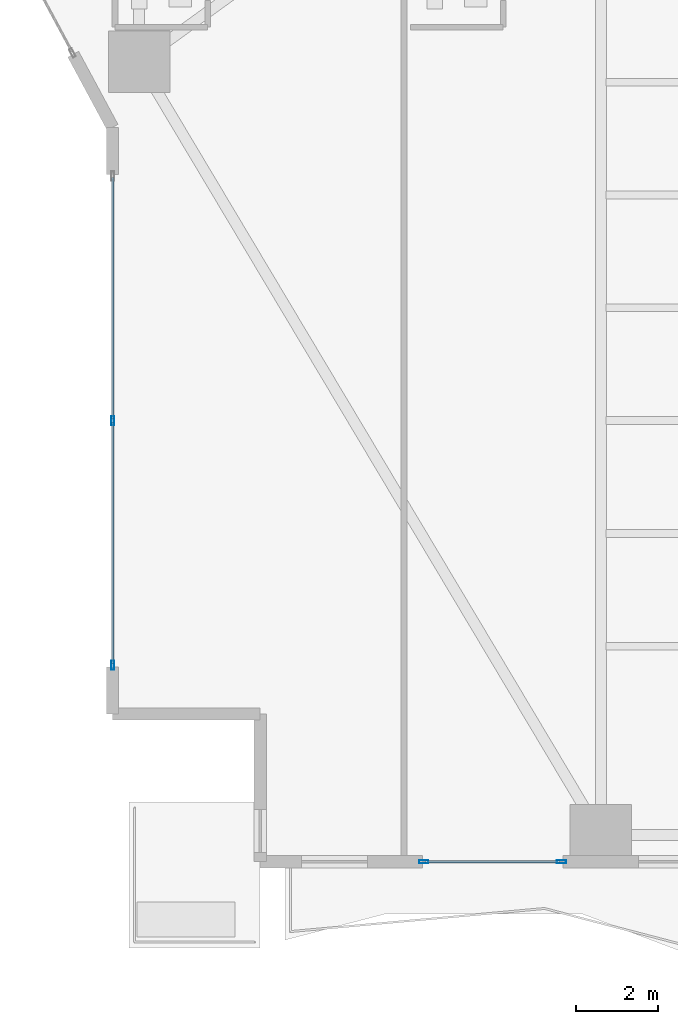
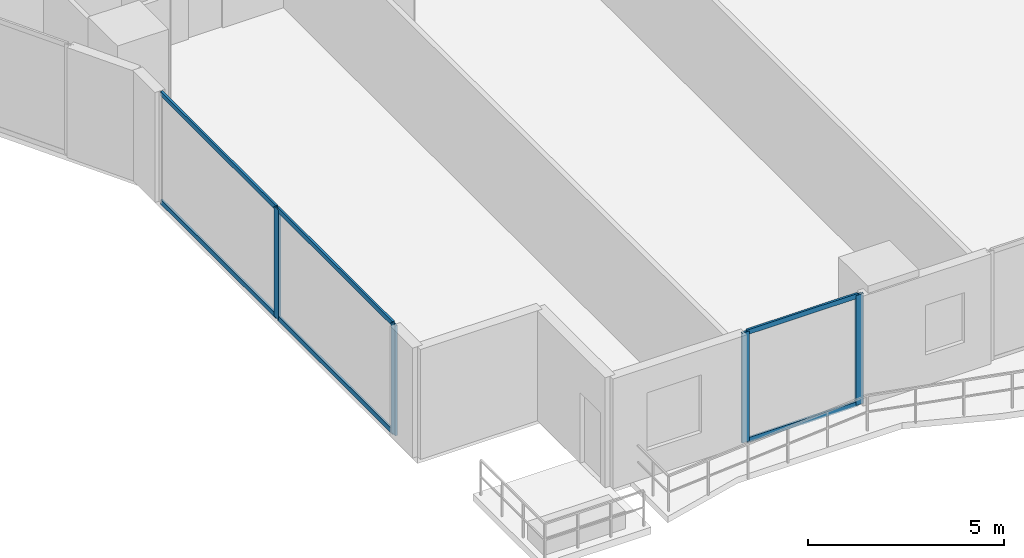
# One storey, part 2 of 28: 10 members, 2 elements without a shape of their own.
"""IFC4 building model written with IfcOpenShell, lengths in metres."""

from ifc_helpers import new_model, si_unit, direction, frame, origin, origin_2d, place, context, subcontext, project, spatial, hollow_rectangle, extrude, material, layer, layer_set, material_profile, profile_set, type_object, element, aggregate, save


model = new_model("IFC4")

# Units and contexts
model_context = context("Model", 3, precision=1e-05, world=origin(), true_north=direction((0.0, 1.0)))
body_context = subcontext(model_context, "Body", "Model", "MODEL_VIEW")
ifc_project = project(units=[si_unit("LENGTHUNIT", "METRE"), si_unit("AREAUNIT", "SQUARE_METRE"), si_unit("VOLUMEUNIT", "CUBIC_METRE"), si_unit("PLANEANGLEUNIT", "RADIAN"), si_unit("MASSUNIT", "GRAM", prefix="KILO")], contexts=[model_context])

# Site, building, storey
site_placement = place(None, origin())
site = spatial("IfcSite", under=ifc_project, at=site_placement, CompositionType="ELEMENT")
building_placement = place(site_placement, origin())
building = spatial("IfcBuilding", under=site, at=building_placement, Name="Zuhayl Quay Hotel", CompositionType="ELEMENT")
storey_placement = place(building_placement, frame((0.0, 0.0, 78.699951171875)))
storey = spatial("IfcBuildingStorey", under=building, at=storey_placement, Name="L19", CompositionType="ELEMENT", Elevation=78.699951171875)

# Curtain wall, members
ifc_material_1 = material(Name="Anodised Aluminium 6063-T6", Category="aluminium")
ifc_layer = layer(ifc_material_1, 0.18994140625, Name="Anodised Aluminium 6063-T6", Category="aluminium")
ifc_layer_set = layer_set([ifc_layer], Name="Anodised Aluminium 6063-T6")
curtain_wall_type = type_object("IfcCurtainWallType", Name="CW_SYS_Z1", PredefinedType="USERDEFINED", material=ifc_layer_set)
curtain_wall_1_placement = place(storey_placement, origin())
curtain_wall_1 = element("IfcCurtainWall", 1, at=curtain_wall_1_placement, inside=storey, type_object=curtain_wall_type, Name="L19 Curtain Wall ENV_L19_E02_CW1", ObjectType="UNITISED CURTAIN WALL", PredefinedType="USERDEFINED")
ifc_material_2 = material(Name="Black-anodised aluminium 6063-T6", Category="aluminium")
ifc_material_profile_1 = material_profile(ifc_material_2, hollow_rectangle(XDim=0.074951171875, YDim=0.219970703125, WallThickness=0.00390625, at=origin_2d()), Name="ALU220X75")
ifc_profile_set_1 = profile_set([ifc_material_profile_1], Name="Black-anodised aluminium 6063-T6")
member_type_1 = type_object("IfcMemberType", Name="MB_CW_MUL_220", PredefinedType="MULLION", material=ifc_profile_set_1)
member_1_placement = place(storey_placement, frame((-25.699951171875, -18.3125, 0.0), z_axis=(0.0, 0.0, 1.0), x_axis=(-1.0, 0.0, 0.0)))
member_1 = element("IfcMember", 2, at=member_1_placement, type_object=member_type_1, Name="CW-Z1 mullion 1", PredefinedType="MULLION", context=body_context, shape_type="SweptSolid", body=[
    extrude(hollow_rectangle(XDim=0.074951171875, YDim=0.219970703125, WallThickness=0.00390625, at=origin_2d()), origin(), (0.0, 0.0, 1.0), 3.429931640625),
])
member_2_placement = place(storey_placement, frame((-25.699951171875, -12.35009765625, 0.0), z_axis=(0.0, 0.0, 1.0), x_axis=(-1.0, 0.0, 0.0)))
member_2 = element("IfcMember", 3, at=member_2_placement, type_object=member_type_1, Name="CW-Z1 mullion 2", PredefinedType="MULLION", context=body_context, shape_type="SweptSolid", body=[
    extrude(hollow_rectangle(XDim=0.074951171875, YDim=0.219970703125, WallThickness=0.00390625, at=origin_2d()), origin(), (0.0, 0.0, 1.0), 3.429931640625),
])

curtain_wall_2_placement = place(storey_placement, origin())
curtain_wall_2 = element("IfcCurtainWall", 4, at=curtain_wall_2_placement, inside=storey, type_object=curtain_wall_type, Name="L19 Curtain Wall ENV_L19_S_CW6", ObjectType="UNITISED CURTAIN WALL", PredefinedType="USERDEFINED")
member_3_placement = place(storey_placement, frame((-14.757568359375, -23.10009765625, 0.0), z_axis=(0.0, 0.0, 1.0), x_axis=(0.0, -1.0, 0.0)))
member_3 = element("IfcMember", 5, at=member_3_placement, type_object=member_type_1, Name="CW-Z1 mullion 1", PredefinedType="MULLION", context=body_context, shape_type="SweptSolid", body=[
    extrude(hollow_rectangle(XDim=0.074951171875, YDim=0.219970703125, WallThickness=0.00390625, at=origin_2d()), origin(), (0.0, 0.0, 1.0), 3.429931640625),
])
member_4_placement = place(storey_placement, frame((-18.112548828125, -23.10009765625, 0.0), z_axis=(0.0, 0.0, 1.0), x_axis=(0.0, -1.0, 0.0)))
member_4 = element("IfcMember", 6, at=member_4_placement, type_object=member_type_1, Name="CW-Z1 mullion 2", PredefinedType="MULLION", context=body_context, shape_type="SweptSolid", body=[
    extrude(hollow_rectangle(XDim=0.074951171875, YDim=0.219970703125, WallThickness=0.00390625, at=origin_2d()), origin(), (0.0, 0.0, 1.0), 3.429931640625),
])

# Member
ifc_material_profile_2 = material_profile(ifc_material_2, hollow_rectangle(XDim=0.06005859375, YDim=0.14990234375, WallThickness=0.00341796875, at=origin_2d()), Name="ALU150X60")
ifc_profile_set_2 = profile_set([ifc_material_profile_2], Name="Black-anodised aluminium 6063-T6")
member_type_2 = type_object("IfcMemberType", Name="MB_CW_TRN_150", PredefinedType="USERDEFINED", material=ifc_profile_set_2)
member_5_placement = place(storey_placement, frame((-25.699951171875, -18.27490234375, 0.030029296875), z_axis=(0.0, 1.0, 0.0), x_axis=(-1.0, 0.0, 0.0)))
member_5 = element("IfcMember", 7, at=member_5_placement, type_object=member_type_2, Name="CW-Z1 transom 1.1", ObjectType="TRANSOM", PredefinedType="USERDEFINED", context=body_context, shape_type="SweptSolid", body=[
    extrude(hollow_rectangle(XDim=0.06005859375, YDim=0.14990234375, WallThickness=0.00341796875, at=origin_2d()), origin(), (0.0, 0.0, 1.0), 5.887451171875),
])

member_6_placement = place(storey_placement, frame((-25.699951171875, -18.27490234375, 3.400146484375), z_axis=(0.0, 1.0, 0.0), x_axis=(-1.0, 0.0, 0.0)))
member_6 = element("IfcMember", 8, at=member_6_placement, type_object=member_type_2, Name="CW-Z1 transom 1.2", ObjectType="TRANSOM", PredefinedType="USERDEFINED", context=body_context, shape_type="SweptSolid", body=[
    extrude(hollow_rectangle(XDim=0.06005859375, YDim=0.14990234375, WallThickness=0.00341796875, at=origin_2d()), origin(), (0.0, 0.0, 1.0), 5.887451171875),
])

member_7_placement = place(storey_placement, frame((-25.699951171875, -12.3125, 0.030029296875), z_axis=(0.0, 1.0, 0.0), x_axis=(-1.0, 0.0, 0.0)))
member_7 = element("IfcMember", 9, at=member_7_placement, type_object=member_type_2, Name="CW-Z1 transom 2.1", ObjectType="TRANSOM", PredefinedType="USERDEFINED", context=body_context, shape_type="SweptSolid", body=[
    extrude(hollow_rectangle(XDim=0.06005859375, YDim=0.14990234375, WallThickness=0.00341796875, at=origin_2d()), origin(), (0.0, 0.0, 1.0), 5.887451171875),
])

member_8_placement = place(storey_placement, frame((-25.699951171875, -12.3125, 3.400146484375), z_axis=(0.0, 1.0, 0.0), x_axis=(-1.0, 0.0, 0.0)))
member_8 = element("IfcMember", 10, at=member_8_placement, type_object=member_type_2, Name="CW-Z1 transom 2.2", ObjectType="TRANSOM", PredefinedType="USERDEFINED", context=body_context, shape_type="SweptSolid", body=[
    extrude(hollow_rectangle(XDim=0.06005859375, YDim=0.14990234375, WallThickness=0.00341796875, at=origin_2d()), origin(), (0.0, 0.0, 1.0), 5.887451171875),
])

aggregate(curtain_wall_1, [member_1, member_2, member_5, member_6, member_7, member_8])

member_9_placement = place(storey_placement, frame((-14.794921875, -23.10009765625, 0.030029296875), z_axis=(-1.0, 0.0, 0.0), x_axis=(0.0, -1.0, 0.0)))
member_9 = element("IfcMember", 11, at=member_9_placement, type_object=member_type_2, Name="CW-Z1 transom 1.1", ObjectType="TRANSOM", PredefinedType="USERDEFINED", context=body_context, shape_type="SweptSolid", body=[
    extrude(hollow_rectangle(XDim=0.06005859375, YDim=0.14990234375, WallThickness=0.00341796875, at=origin_2d()), origin(), (0.0, 0.0, 1.0), 3.280029296875),
])

member_10_placement = place(storey_placement, frame((-14.794921875, -23.10009765625, 3.400146484375), z_axis=(-1.0, 0.0, 0.0), x_axis=(0.0, -1.0, 0.0)))
member_10 = element("IfcMember", 12, at=member_10_placement, type_object=member_type_2, Name="CW-Z1 transom 1.2", ObjectType="TRANSOM", PredefinedType="USERDEFINED", context=body_context, shape_type="SweptSolid", body=[
    extrude(hollow_rectangle(XDim=0.06005859375, YDim=0.14990234375, WallThickness=0.00341796875, at=origin_2d()), origin(), (0.0, 0.0, 1.0), 3.280029296875),
])

aggregate(curtain_wall_2, [member_3, member_4, member_9, member_10])

save(model, "model.ifc")
